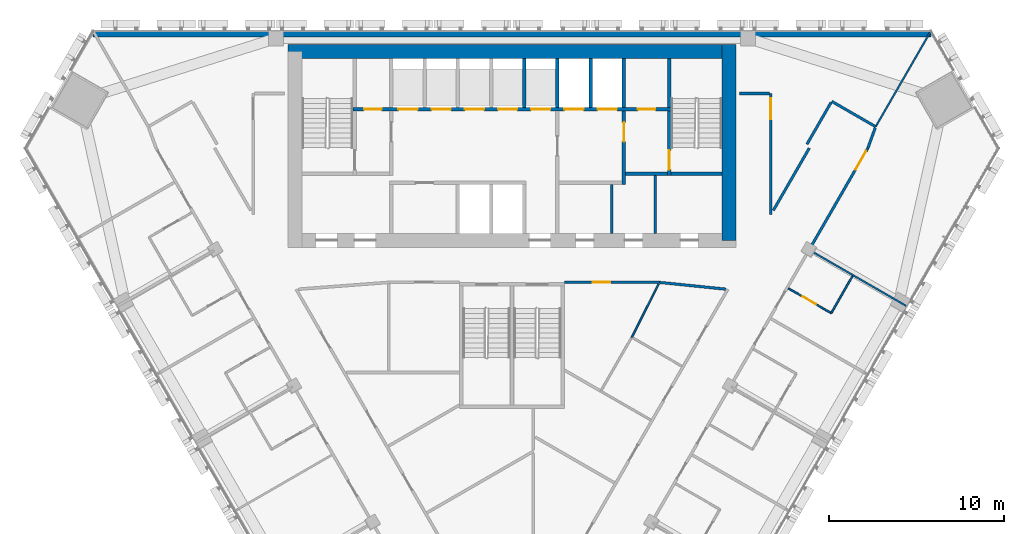
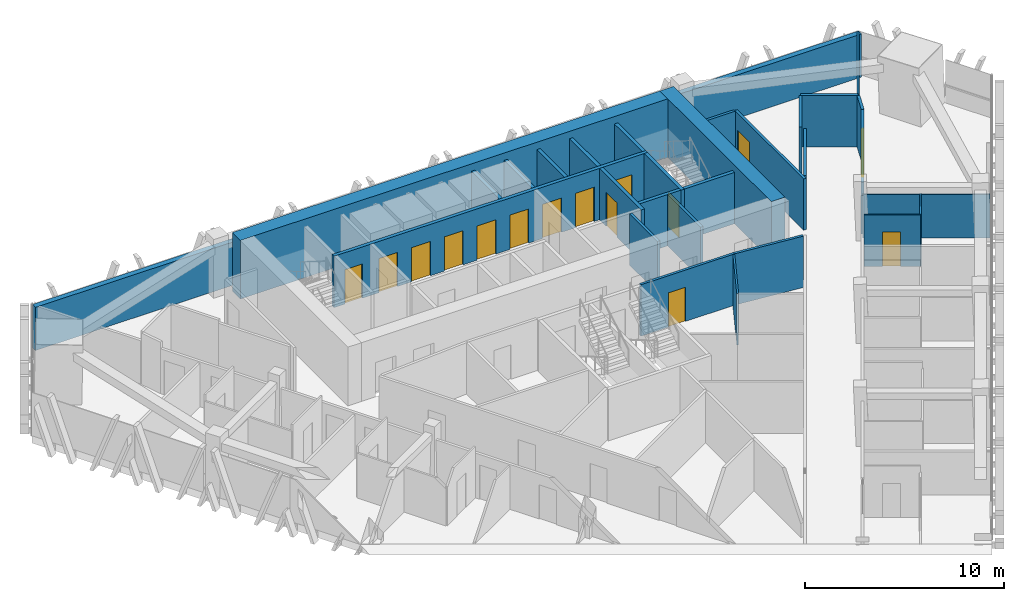
# One storey, part 12 of 16: 29 walls, 15 doors, 15 openings.
"""IFC4 building model written with IfcOpenShell, lengths in metres."""

from ifc_helpers import new_model, si_unit, direction, frame, frame_2d, origin, place, context, subcontext, project, spatial, rectangle, extrude, material, layer, layer_set, type_object, element, fill, save


model = new_model("IFC4")

# Units and contexts
model_context = context("Model", 3, precision=1e-05, world=origin(), true_north=direction((0.0, 1.0)))
body_context = subcontext(model_context, "Body", "Model", "MODEL_VIEW")
ifc_project = project(units=[si_unit("LENGTHUNIT", "METRE"), si_unit("AREAUNIT", "SQUARE_METRE"), si_unit("VOLUMEUNIT", "CUBIC_METRE"), si_unit("PLANEANGLEUNIT", "RADIAN"), si_unit("MASSUNIT", "GRAM", prefix="KILO")], contexts=[model_context])

# Site, building, storey
site_placement = place(None, origin())
site = spatial("IfcSite", under=ifc_project, at=site_placement, CompositionType="ELEMENT")
building_placement = place(site_placement, origin())
building = spatial("IfcBuilding", under=site, at=building_placement, Name="Altiplano Prism Tower", CompositionType="ELEMENT")
storey_placement = place(building_placement, frame((0.0, 0.0, 131.39990234375)))
storey = spatial("IfcBuildingStorey", under=building, at=storey_placement, Name="L33", CompositionType="ELEMENT", Elevation=131.39990234375)

# Walls
ifc_material_1 = material(Name="Concrete C60/75", Category="concrete")
ifc_layer_1 = layer(ifc_material_1, 0.800048828125)
ifc_layer_set_1 = layer_set([ifc_layer_1], Name="Concrete C60/75")
wall_type_1 = type_object("IfcWallType", Name="Core wall 800", PredefinedType="SHEAR", material=ifc_layer_set_1)
wall_1_placement = place(storey_placement, frame((97.39990234375, 93.0, 0.0), z_axis=(0.0, 0.0, 1.0), x_axis=(0.0, 1.0, 0.0)))
element("IfcWall", 1, at=wall_1_placement, inside=storey, type_object=wall_type_1, Name="Core wall E L33", PredefinedType="SHEAR", context=body_context, shape_type="SweptSolid", body=[
    extrude(rectangle(XDim=11.199951171875, YDim=0.800048828125, at=frame_2d((5.60009765625, 0.0))), origin(), (0.0, 0.0, 1.0), 3.60009765625),
])
wall_2_placement = place(storey_placement, frame((97.39990234375, 103.800048828125, 0.0), z_axis=(0.0, 0.0, 1.0), x_axis=(-1.0, 0.0, 0.0)))
element("IfcWall", 2, at=wall_2_placement, inside=storey, type_object=wall_type_1, Name="Core wall N L33", PredefinedType="SHEAR", context=body_context, shape_type="SweptSolid", body=[
    extrude(rectangle(XDim=25.199951171875, YDim=0.800048828125, at=frame_2d((12.60009765625, 0.0))), origin(), (0.0, 0.0, 1.0), 3.60009765625),
])
ifc_material_2 = material(Name="Plasterboard on steel stud", Category="steel")
ifc_layer_2 = layer(ifc_material_2, 0.10009765625)
ifc_layer_set_2 = layer_set([ifc_layer_2], Name="Plasterboard on steel stud")
wall_type_2 = type_object("IfcWallType", Name="Partition 100 unit", PredefinedType="PARTITIONING", material=ifc_layer_set_2)
wall_3_placement = place(storey_placement, frame((104.47412109375, 90.9658203125, 0.0), z_axis=(0.0, 0.0, 1.0), x_axis=(-0.500018594424, -0.866014668023, 0.0)))
element("IfcWall", 3, at=wall_3_placement, inside=storey, type_object=wall_type_2, Name="Partition P02 L33 075", PredefinedType="PARTITIONING", context=body_context, shape_type="SweptSolid", body=[
    extrude(rectangle(XDim=2.4501953125, YDim=0.10009765625, at=frame_2d((1.22509765625, 0.0))), origin(), (0.0, 0.0, 1.0), 2.75),
])

# Wall, opening, door
wall_4_placement = place(storey_placement, frame((103.2490234375, 88.84423828125, 0.0), z_axis=(0.0, 0.0, 1.0), x_axis=(-0.866027263711, 0.4999967785, 0.0)))
wall_4 = element("IfcWall", 4, at=wall_4_placement, inside=storey, type_object=wall_type_2, Name="Partition P02 L33 076", PredefinedType="PARTITIONING", context=body_context, shape_type="SweptSolid", body=[
    extrude(rectangle(XDim=2.82470703125, YDim=0.10009765625, at=frame_2d((1.412353515625, 0.0))), origin(), (0.0, 0.0, 1.0), 3.150146484375),
])
opening_1_placement = place(wall_4_placement, frame((1.0, 0.0, 0.0)))
opening_1 = element("IfcOpeningElement", 5, at=opening_1_placement, cuts=wall_4, Name="Opening D1214", PredefinedType="OPENING", context=body_context, shape_type="SweptSolid", body=[
    extrude(rectangle(XDim=0.89990234375, YDim=2.10009765625, at=frame_2d((0.449951171875, 1.050048828125))), frame((0.0, 0.060546875, 0.0), z_axis=(0.0, -1.0, 0.0), x_axis=(1.0, 0.0, 0.0)), (0.0, 0.0, 1.0), 0.12109375),
])
ifc_material_3 = material(Name="Timber", Category="wood")
door_type_1 = type_object("IfcDoorType", Name="Ensuite door 900 x 2100", OperationType="NOTDEFINED", PredefinedType="NOTDEFINED", material=ifc_material_3)
door_1_placement = place(opening_1_placement, origin())
door_1 = element("IfcDoor", 6, at=door_1_placement, inside=storey, type_object=door_type_1, Name="Door D1214", OperationType="SINGLE_SWING_RIGHT", OverallHeight=2.10009765625, OverallWidth=0.89990234375, PredefinedType="NOTDEFINED", context=body_context, shape_type="SweptSolid", body=[
    extrude(rectangle(XDim=0.89990234375, YDim=2.10009765625, at=frame_2d((0.449951171875, 1.050048828125))), frame((0.0, 0.02490234375, 0.0), z_axis=(0.0, -1.0, 0.0), x_axis=(1.0, 0.0, 0.0)), (0.0, 0.0, 1.0), 0.050048828125),
])
fill(opening_1, door_1)

# Walls
ifc_layer_3 = layer(ifc_material_2, 0.10009765625)
ifc_layer_set_3 = layer_set([ifc_layer_3], Name="Plasterboard on steel stud")
wall_type_3 = type_object("IfcWallType", Name="Partition 100 wet", PredefinedType="PARTITIONING", material=ifc_layer_set_3)
wall_5_placement = place(storey_placement, frame((93.38232421875, 90.50146484375, 0.0), z_axis=(0.0, 0.0, 1.0), x_axis=(-0.450176199903, -0.89293974547, 0.0)))
element("IfcWall", 7, at=wall_5_placement, inside=storey, type_object=wall_type_3, Name="Partition P03 L33 025", PredefinedType="PARTITIONING", context=body_context, shape_type="SweptSolid", body=[
    extrude(rectangle(XDim=3.42529296875, YDim=0.10009765625, at=frame_2d((1.712646484375, 0.0))), origin(), (0.0, 0.0, 1.0), 3.150146484375),
])
wall_6_placement = place(storey_placement, frame((107.5302734375, 89.25927734375, 0.0), z_axis=(0.0, 0.0, 1.0), x_axis=(-0.866025499775, 0.499999833739, 0.0)))
element("IfcWall", 8, at=wall_6_placement, inside=storey, type_object=wall_type_3, Name="Partition P03 L33 077", PredefinedType="PARTITIONING", context=body_context, shape_type="SweptSolid", body=[
    extrude(rectangle(XDim=6.39990234375, YDim=0.10009765625, at=frame_2d((3.199951171875, 0.0))), origin(), (0.0, 0.0, 1.0), 2.650146484375),
])
wall_7_placement = place(storey_placement, frame((108.907958984375, 104.89990234375, 0.0), z_axis=(0.0, 0.0, 1.0), x_axis=(-0.500004896655, -0.866022576681, 0.0)))
element("IfcWall", 9, at=wall_7_placement, inside=storey, type_object=wall_type_3, Name="Partition P03 L33 078", PredefinedType="PARTITIONING", context=body_context, shape_type="SweptSolid", body=[
    extrude(rectangle(XDim=6.2353515625, YDim=0.10009765625, at=frame_2d((3.11767578125, 0.0))), origin(), (0.0, 0.0, 1.0), 2.650146484375),
])
ifc_layer_4 = layer(ifc_material_2, 0.14990234375)
ifc_layer_set_4 = layer_set([ifc_layer_4], Name="Plasterboard on steel stud")
wall_type_4 = type_object("IfcWallType", Name="Partition 150 corridor", PredefinedType="PARTITIONING", material=ifc_layer_set_4)
wall_8_placement = place(storey_placement, frame((93.431396484375, 90.59912109375, 0.0), z_axis=(0.0, 0.0, 1.0), x_axis=(0.994809932393, -0.101750667872, 0.0)))
element("IfcWall", 10, at=wall_8_placement, inside=storey, type_object=wall_type_4, Name="Partition P06 L33 001", PredefinedType="PARTITIONING", context=body_context, shape_type="SweptSolid", body=[
    extrude(rectangle(XDim=3.807861328125, YDim=0.14990234375, at=frame_2d((1.90380859375, 0.0))), origin(), (0.0, 0.0, 1.0), 3.150146484375),
])

# Wall, opening, door
wall_9_placement = place(storey_placement, frame((102.1376953125, 92.718994140625, 0.0), z_axis=(0.0, 0.0, 1.0), x_axis=(0.500012451049, 0.866018215049, 0.0)))
wall_9 = element("IfcWall", 11, at=wall_9_placement, inside=storey, type_object=wall_type_4, Name="Partition P06 L33 008", PredefinedType="PARTITIONING", context=body_context, shape_type="SweptSolid", body=[
    extrude(rectangle(XDim=6.412841796875, YDim=0.14990234375, at=frame_2d((3.20654296875, 0.0))), origin(), (0.0, 0.0, 1.0), 3.150146484375),
])
opening_2_placement = place(wall_9_placement, frame((5.012939453125, 0.0, 0.0)))
opening_2 = element("IfcOpeningElement", 12, at=opening_2_placement, cuts=wall_9, Name="Opening D1215", PredefinedType="OPENING", context=body_context, shape_type="SweptSolid", body=[
    extrude(rectangle(XDim=1.199951171875, YDim=2.10009765625, at=frame_2d((0.60009765625, 1.050048828125))), frame((0.0, 0.08544921875, 0.0), z_axis=(0.0, -1.0, 0.0), x_axis=(1.0, 0.0, 0.0)), (0.0, 0.0, 1.0), 0.1708984375),
])
door_type_2 = type_object("IfcDoorType", Name="Shared room door 1200 x 2100", OperationType="NOTDEFINED", PredefinedType="NOTDEFINED", material=ifc_material_3)
door_2_placement = place(opening_2_placement, origin())
door_2 = element("IfcDoor", 13, at=door_2_placement, inside=storey, type_object=door_type_2, Name="Door D1215", OperationType="SINGLE_SWING_LEFT", OverallHeight=2.10009765625, OverallWidth=1.199951171875, PredefinedType="NOTDEFINED", context=body_context, shape_type="SweptSolid", body=[
    extrude(rectangle(XDim=1.199951171875, YDim=2.10009765625, at=frame_2d((0.60009765625, 1.050048828125))), frame((0.0, 0.02490234375, 0.0), z_axis=(0.0, -1.0, 0.0), x_axis=(1.0, 0.0, 0.0)), (0.0, 0.0, 1.0), 0.050048828125),
])
fill(opening_2, door_2)

# Walls
wall_10_placement = place(storey_placement, frame((105.34423828125, 98.272705078125, 0.0), z_axis=(0.0, 0.0, 1.0), x_axis=(0.341615779191, 0.939839698783, 0.0)))
element("IfcWall", 14, at=wall_10_placement, inside=storey, type_object=wall_type_4, Name="Partition P06 L33 009", PredefinedType="PARTITIONING", context=body_context, shape_type="SweptSolid", body=[
    extrude(rectangle(XDim=1.232177734375, YDim=0.14990234375, at=frame_2d((0.6162109375, 0.0))), origin(), (0.0, 0.0, 1.0), 3.150146484375),
])
wall_11_placement = place(storey_placement, frame((105.790283203125, 99.5, 0.0), z_axis=(0.0, 0.0, 1.0), x_axis=(-0.866032775405, 0.499987231761, 0.0)))
element("IfcWall", 15, at=wall_11_placement, inside=storey, type_object=wall_type_4, Name="Partition P06 L33 010", PredefinedType="PARTITIONING", context=body_context, shape_type="SweptSolid", body=[
    extrude(rectangle(XDim=2.89990234375, YDim=0.14990234375, at=frame_2d((1.449951171875, 0.0))), origin(), (0.0, 0.0, 1.0), 3.150146484375),
])
wall_12_placement = place(storey_placement, frame((103.241455078125, 100.885009765625, 0.0), z_axis=(0.0, 0.0, 1.0), x_axis=(-0.499991038717, -0.866030577522, 0.0)))
element("IfcWall", 16, at=wall_12_placement, inside=storey, type_object=wall_type_4, Name="Partition P06 L33 011", PredefinedType="PARTITIONING", context=body_context, shape_type="SweptSolid", body=[
    extrude(rectangle(XDim=2.75390625, YDim=0.14990234375, at=frame_2d((1.376953125, 0.0))), origin(), (0.0, 0.0, 1.0), 3.150146484375),
])
wall_13_placement = place(storey_placement, frame((101.99560546875, 98.272705078125, 0.0), z_axis=(0.0, 0.0, 1.0), x_axis=(-0.500022314862, -0.866012519909, 0.0)))
element("IfcWall", 17, at=wall_13_placement, inside=storey, type_object=wall_type_4, Name="Partition P06 L33 012", PredefinedType="PARTITIONING", context=body_context, shape_type="SweptSolid", body=[
    extrude(rectangle(XDim=4.111083984375, YDim=0.14990234375, at=frame_2d((2.0556640625, 0.0))), origin(), (0.0, 0.0, 1.0), 3.150146484375),
])

# Wall, opening, door
wall_14_placement = place(storey_placement, frame((99.800048828125, 94.469970703125, 0.0), z_axis=(0.0, 0.0, 1.0), x_axis=(0.0, 1.0, 0.0)))
wall_14 = element("IfcWall", 18, at=wall_14_placement, inside=storey, type_object=wall_type_4, Name="Partition P06 L33 013", PredefinedType="PARTITIONING", context=body_context, shape_type="SweptSolid", body=[
    extrude(rectangle(XDim=6.929931640625, YDim=0.14990234375, at=frame_2d((3.46484375, 0.0))), origin(), (0.0, 0.0, 1.0), 3.150146484375),
])
opening_3_placement = place(wall_14_placement, frame((5.4580078125, 0.0, 0.0)))
opening_3 = element("IfcOpeningElement", 19, at=opening_3_placement, cuts=wall_14, Name="Opening D1216", PredefinedType="OPENING", context=body_context, shape_type="SweptSolid", body=[
    extrude(rectangle(XDim=1.199951171875, YDim=2.10009765625, at=frame_2d((0.60009765625, 1.050048828125))), frame((0.0, 0.08544921875, 0.0), z_axis=(0.0, -1.0, 0.0), x_axis=(1.0, 0.0, 0.0)), (0.0, 0.0, 1.0), 0.1708984375),
])
door_3_placement = place(opening_3_placement, origin())
door_3 = element("IfcDoor", 20, at=door_3_placement, inside=storey, type_object=door_type_2, Name="Door D1216", OperationType="SINGLE_SWING_LEFT", OverallHeight=2.10009765625, OverallWidth=1.199951171875, PredefinedType="NOTDEFINED", context=body_context, shape_type="SweptSolid", body=[
    extrude(rectangle(XDim=1.199951171875, YDim=2.10009765625, at=frame_2d((0.60009765625, 1.050048828125))), frame((0.0, 0.02490234375, 0.0), z_axis=(0.0, -1.0, 0.0), x_axis=(1.0, 0.0, 0.0)), (0.0, 0.0, 1.0), 0.050048828125),
])
fill(opening_3, door_3)

# Wall
wall_15_placement = place(storey_placement, frame((99.72509765625, 101.39990234375, 0.0), z_axis=(0.0, 0.0, 1.0), x_axis=(-1.0, 0.0, 0.0)))
element("IfcWall", 21, at=wall_15_placement, inside=storey, type_object=wall_type_4, Name="Partition P06 L33 014", PredefinedType="PARTITIONING", context=body_context, shape_type="SweptSolid", body=[
    extrude(rectangle(XDim=1.72509765625, YDim=0.14990234375, at=frame_2d((0.862548828125, 0.0))), origin(), (0.0, 0.0, 1.0), 3.150146484375),
])

# Wall, opening, door
wall_16_placement = place(storey_placement, frame((88.0, 90.60009765625, 0.0), z_axis=(0.0, 0.0, 1.0), x_axis=(0.999999983836, -0.000179799521, 0.0)))
wall_16 = element("IfcWall", 22, at=wall_16_placement, inside=storey, type_object=wall_type_4, Name="Partition P06 L33 021", PredefinedType="PARTITIONING", context=body_context, shape_type="SweptSolid", body=[
    extrude(rectangle(XDim=5.431396484375, YDim=0.14990234375, at=frame_2d((2.7158203125, 0.0))), origin(), (0.0, 0.0, 1.0), 3.150146484375),
])
opening_4_placement = place(wall_16_placement, frame((1.60302734375, 0.0, 0.0)))
opening_4 = element("IfcOpeningElement", 23, at=opening_4_placement, cuts=wall_16, Name="Opening D1222", PredefinedType="OPENING", context=body_context, shape_type="SweptSolid", body=[
    extrude(rectangle(XDim=1.0, YDim=2.10009765625, at=frame_2d((0.5, 1.050048828125))), frame((0.0, 0.08544921875, 0.0), z_axis=(0.0, -1.0, 0.0), x_axis=(1.0, 0.0, 0.0)), (0.0, 0.0, 1.0), 0.1708984375),
])
door_type_3 = type_object("IfcDoorType", Name="Room door 1000 x 2100", OperationType="NOTDEFINED", PredefinedType="NOTDEFINED", material=ifc_material_3)
door_4_placement = place(opening_4_placement, origin())
door_4 = element("IfcDoor", 24, at=door_4_placement, inside=storey, type_object=door_type_3, Name="Door D1222", OperationType="SINGLE_SWING_RIGHT", OverallHeight=2.10009765625, OverallWidth=1.0, PredefinedType="NOTDEFINED", context=body_context, shape_type="SweptSolid", body=[
    extrude(rectangle(XDim=1.0, YDim=2.10009765625, at=frame_2d((0.5, 1.050048828125))), frame((0.0, 0.02490234375, 0.0), z_axis=(0.0, -1.0, 0.0), x_axis=(1.0, 0.0, 0.0)), (0.0, 0.0, 1.0), 0.050048828125),
])
fill(opening_4, door_4)

# Walls
ifc_material_4 = material(Name="Fire-rated gypsum board partition")
ifc_layer_5 = layer(ifc_material_4, 0.14990234375)
ifc_layer_set_5 = layer_set([ifc_layer_5], Name="Fire-rated gypsum board partition")
wall_type_5 = type_object("IfcWallType", Name="Room partition 150", PredefinedType="PARTITIONING", material=ifc_layer_set_5)
wall_17_placement = place(storey_placement, frame((90.699951171875, 93.39990234375, 0.0), z_axis=(0.0, 0.0, 1.0), x_axis=(0.0, 1.0, 0.0)))
element("IfcWall", 25, at=wall_17_placement, inside=storey, type_object=wall_type_5, Name="Room partition L33", PredefinedType="PARTITIONING", context=body_context, shape_type="SweptSolid", body=[
    extrude(rectangle(XDim=2.800048828125, YDim=0.14990234375, at=frame_2d((1.39990234375, 0.0))), origin(), (0.0, 0.0, 1.0), 3.150146484375),
])
wall_18_placement = place(storey_placement, frame((93.199951171875, 93.39990234375, 0.0), z_axis=(0.0, 0.0, 1.0), x_axis=(0.0, 1.0, 0.0)))
element("IfcWall", 26, at=wall_18_placement, inside=storey, type_object=wall_type_5, Name="Room partition L33", PredefinedType="PARTITIONING", context=body_context, shape_type="SweptSolid", body=[
    extrude(rectangle(XDim=3.300048828125, YDim=0.14990234375, at=frame_2d((1.64990234375, 0.0))), origin(), (0.0, 0.0, 1.0), 3.150146484375),
])
ifc_layer_6 = layer(ifc_material_1, 0.199951171875)
ifc_layer_set_6 = layer_set([ifc_layer_6], Name="Concrete C60/75")
wall_type_6 = type_object("IfcWallType", Name="Shaft wall 200", PredefinedType="SOLIDWALL", material=ifc_layer_set_6)
for number, where, z_axis, x_axis, name in (
    (27, (85.699951171875, 100.60009765625, 0.0), (0.0, 0.0, 1.0), (0.0, 1.0, 0.0), "Shaft wall L33"),
    (28, (87.60009765625, 100.60009765625, 0.0), (0.0, 0.0, 1.0), (0.0, 1.0, 0.0), "Shaft wall L33"),
    (29, (89.5, 100.60009765625, 0.0), (0.0, 0.0, 1.0), (0.0, 1.0, 0.0), "Shaft wall L33"),
    (30, (91.39990234375, 100.60009765625, 0.0), (0.0, 0.0, 1.0), (0.0, 1.0, 0.0), "Shaft wall L33"),
):
    element("IfcWall", number, at=place(storey_placement, frame(where, z_axis=z_axis, x_axis=x_axis)), inside=storey, type_object=wall_type_6, Name=name, PredefinedType="SOLIDWALL", context=body_context, shape_type="SweptSolid", body=[
        extrude(rectangle(XDim=2.7998046875, YDim=0.199951171875, at=frame_2d((1.39990234375, 0.0))), origin(), (0.0, 0.0, 1.0), 3.150146484375),
    ])

# Wall, opening, door
ifc_layer_7 = layer(ifc_material_1, 0.199951171875)
ifc_layer_set_7 = layer_set([ifc_layer_7], Name="Concrete C60/75")
wall_type_7 = type_object("IfcWallType", Name="Stair wall 200", PredefinedType="SOLIDWALL", material=ifc_layer_set_7)
wall_19_placement = place(storey_placement, frame((94.0, 96.699951171875, 0.0), z_axis=(0.0, 0.0, 1.0), x_axis=(0.0, 1.0, 0.0)))
wall_19 = element("IfcWall", 31, at=wall_19_placement, inside=storey, type_object=wall_type_7, Name="Stair wall L33", PredefinedType="SOLIDWALL", context=body_context, shape_type="SweptSolid", body=[
    extrude(rectangle(XDim=3.699951171875, YDim=0.199951171875, at=frame_2d((1.85009765625, 0.0))), origin(), (0.0, 0.0, 1.0), 3.150146484375),
])
opening_5_placement = place(wall_19_placement, frame((0.35009765625, 0.0, 0.0)))
opening_5 = element("IfcOpeningElement", 32, at=opening_5_placement, cuts=wall_19, Name="Opening D3026", PredefinedType="OPENING", context=body_context, shape_type="SweptSolid", body=[
    extrude(rectangle(XDim=1.10009765625, YDim=2.10009765625, at=frame_2d((0.550048828125, 1.050048828125))), frame((0.0, 0.1103515625, 0.0), z_axis=(0.0, -1.0, 0.0), x_axis=(1.0, 0.0, 0.0)), (0.0, 0.0, 1.0), 0.220947265625),
])
ifc_material_5 = material(Name="Fire-rated steel door", Category="steel")
door_type_4 = type_object("IfcDoorType", Name="Stair fire door 1100 x 2100", OperationType="NOTDEFINED", PredefinedType="NOTDEFINED", material=ifc_material_5)
door_5_placement = place(opening_5_placement, origin())
door_5 = element("IfcDoor", 33, at=door_5_placement, inside=storey, type_object=door_type_4, Name="Stair fire door D3026", OperationType="SINGLE_SWING_LEFT", OverallHeight=2.10009765625, OverallWidth=1.10009765625, PredefinedType="NOTDEFINED", context=body_context, shape_type="SweptSolid", body=[
    extrude(rectangle(XDim=1.10009765625, YDim=2.10009765625, at=frame_2d((0.550048828125, 1.050048828125))), frame((0.0, 0.02490234375, 0.0), z_axis=(0.0, -1.0, 0.0), x_axis=(1.0, 0.0, 0.0)), (0.0, 0.0, 1.0), 0.050048828125),
])
fill(opening_5, door_5)

# Wall
wall_20_placement = place(storey_placement, frame((94.10009765625, 96.800048828125, 0.0), z_axis=(0.0, 0.0, 1.0), x_axis=(1.0, 0.0, 0.0)))
element("IfcWall", 34, at=wall_20_placement, inside=storey, type_object=wall_type_7, Name="Stair wall L33", PredefinedType="SOLIDWALL", context=body_context, shape_type="SweptSolid", body=[
    extrude(rectangle(XDim=2.89990234375, YDim=0.199951171875, at=frame_2d((1.449951171875, 0.0))), origin(), (0.0, 0.0, 1.0), 3.150146484375),
])

# Wall, openings, doors
wall_21_placement = place(storey_placement, frame((75.89990234375, 100.5, 0.0), z_axis=(0.0, 0.0, 1.0), x_axis=(1.0, 0.0, 0.0)))
wall_21 = element("IfcWall", 35, at=wall_21_placement, inside=storey, type_object=wall_type_7, Name="Stair wall L33", PredefinedType="SOLIDWALL", context=body_context, shape_type="SweptSolid", body=[
    extrude(rectangle(XDim=18.2001953125, YDim=0.199951171875, at=frame_2d((9.10009765625, 0.0))), origin(), (0.0, 0.0, 1.0), 3.150146484375),
])
opening_6_placement = place(wall_21_placement, frame((2.60009765625, 0.0, 0.0)))
opening_6 = element("IfcOpeningElement", 36, at=opening_6_placement, cuts=wall_21, Name="Opening LD-ML1-L33", PredefinedType="OPENING", context=body_context, shape_type="SweptSolid", body=[
    extrude(rectangle(XDim=1.10009765625, YDim=2.10009765625, at=frame_2d((0.550048828125, 1.050048828125))), frame((0.0, 0.1103515625, 0.0), z_axis=(0.0, -1.0, 0.0), x_axis=(1.0, 0.0, 0.0)), (0.0, 0.0, 1.0), 0.220947265625),
])
opening_7_placement = place(wall_21_placement, frame((4.5, 0.0, 0.0)))
opening_7 = element("IfcOpeningElement", 37, at=opening_7_placement, cuts=wall_21, Name="Opening LD-ML2-L33", PredefinedType="OPENING", context=body_context, shape_type="SweptSolid", body=[
    extrude(rectangle(XDim=1.10009765625, YDim=2.10009765625, at=frame_2d((0.550048828125, 1.050048828125))), frame((0.0, 0.1103515625, 0.0), z_axis=(0.0, -1.0, 0.0), x_axis=(1.0, 0.0, 0.0)), (0.0, 0.0, 1.0), 0.220947265625),
])
opening_8_placement = place(wall_21_placement, frame((6.39990234375, 0.0, 0.0)))
opening_8 = element("IfcOpeningElement", 38, at=opening_8_placement, cuts=wall_21, Name="Opening LD-ML3-L33", PredefinedType="OPENING", context=body_context, shape_type="SweptSolid", body=[
    extrude(rectangle(XDim=1.10009765625, YDim=2.10009765625, at=frame_2d((0.550048828125, 1.050048828125))), frame((0.0, 0.1103515625, 0.0), z_axis=(0.0, -1.0, 0.0), x_axis=(1.0, 0.0, 0.0)), (0.0, 0.0, 1.0), 0.220947265625),
])
opening_9_placement = place(wall_21_placement, frame((8.300048828125, 0.0, 0.0)))
opening_9 = element("IfcOpeningElement", 39, at=opening_9_placement, cuts=wall_21, Name="Opening LD-ML4-L33", PredefinedType="OPENING", context=body_context, shape_type="SweptSolid", body=[
    extrude(rectangle(XDim=1.10009765625, YDim=2.10009765625, at=frame_2d((0.550048828125, 1.050048828125))), frame((0.0, 0.1103515625, 0.0), z_axis=(0.0, -1.0, 0.0), x_axis=(1.0, 0.0, 0.0)), (0.0, 0.0, 1.0), 0.220947265625),
])
opening_10_placement = place(wall_21_placement, frame((10.199951171875, 0.0, 0.0)))
opening_10 = element("IfcOpeningElement", 40, at=opening_10_placement, cuts=wall_21, Name="Opening LD-ML5-L33", PredefinedType="OPENING", context=body_context, shape_type="SweptSolid", body=[
    extrude(rectangle(XDim=1.10009765625, YDim=2.10009765625, at=frame_2d((0.550048828125, 1.050048828125))), frame((0.0, 0.1103515625, 0.0), z_axis=(0.0, -1.0, 0.0), x_axis=(1.0, 0.0, 0.0)), (0.0, 0.0, 1.0), 0.220947265625),
])
opening_11_placement = place(wall_21_placement, frame((12.10009765625, 0.0, 0.0)))
opening_11 = element("IfcOpeningElement", 41, at=opening_11_placement, cuts=wall_21, Name="Opening LD-FF1-L33", PredefinedType="OPENING", context=body_context, shape_type="SweptSolid", body=[
    extrude(rectangle(XDim=1.10009765625, YDim=2.10009765625, at=frame_2d((0.550048828125, 1.050048828125))), frame((0.0, 0.1103515625, 0.0), z_axis=(0.0, -1.0, 0.0), x_axis=(1.0, 0.0, 0.0)), (0.0, 0.0, 1.0), 0.220947265625),
])
opening_12_placement = place(wall_21_placement, frame((14.0, 0.0, 0.0)))
opening_12 = element("IfcOpeningElement", 42, at=opening_12_placement, cuts=wall_21, Name="Opening LD-FF2-L33", PredefinedType="OPENING", context=body_context, shape_type="SweptSolid", body=[
    extrude(rectangle(XDim=1.10009765625, YDim=2.10009765625, at=frame_2d((0.550048828125, 1.050048828125))), frame((0.0, 0.1103515625, 0.0), z_axis=(0.0, -1.0, 0.0), x_axis=(1.0, 0.0, 0.0)), (0.0, 0.0, 1.0), 0.220947265625),
])
opening_13_placement = place(wall_21_placement, frame((0.64990234375, 0.0, 0.0)))
opening_13 = element("IfcOpeningElement", 43, at=opening_13_placement, cuts=wall_21, Name="Opening D3033", PredefinedType="OPENING", context=body_context, shape_type="SweptSolid", body=[
    extrude(rectangle(XDim=1.0, YDim=2.10009765625, at=frame_2d((0.5, 1.050048828125))), frame((0.0, 0.1103515625, 0.0), z_axis=(0.0, -1.0, 0.0), x_axis=(1.0, 0.0, 0.0)), (0.0, 0.0, 1.0), 0.220947265625),
])
opening_14_placement = place(wall_21_placement, frame((16.300048828125, 0.0, 0.0)))
opening_14 = element("IfcOpeningElement", 44, at=opening_14_placement, cuts=wall_21, Name="Opening D3034", PredefinedType="OPENING", context=body_context, shape_type="SweptSolid", body=[
    extrude(rectangle(XDim=1.0, YDim=2.10009765625, at=frame_2d((0.5, 1.050048828125))), frame((0.0, 0.1103515625, 0.0), z_axis=(0.0, -1.0, 0.0), x_axis=(1.0, 0.0, 0.0)), (0.0, 0.0, 1.0), 0.220947265625),
])
door_type_5 = type_object("IfcDoorType", Name="Core room door 1000 x 2100", OperationType="NOTDEFINED", PredefinedType="NOTDEFINED", material=ifc_material_5)
door_6_placement = place(opening_13_placement, origin())
door_6 = element("IfcDoor", 45, at=door_6_placement, inside=storey, type_object=door_type_5, Name="Core room door D3033", OperationType="SINGLE_SWING_LEFT", OverallHeight=2.10009765625, OverallWidth=1.0, PredefinedType="NOTDEFINED", context=body_context, shape_type="SweptSolid", body=[
    extrude(rectangle(XDim=1.0, YDim=2.10009765625, at=frame_2d((0.5, 1.050048828125))), frame((0.0, 0.02490234375, 0.0), z_axis=(0.0, -1.0, 0.0), x_axis=(1.0, 0.0, 0.0)), (0.0, 0.0, 1.0), 0.050048828125),
])
fill(opening_13, door_6)
door_7_placement = place(opening_14_placement, origin())
door_7 = element("IfcDoor", 46, at=door_7_placement, inside=storey, type_object=door_type_5, Name="Core room door D3034", OperationType="SINGLE_SWING_RIGHT", OverallHeight=2.10009765625, OverallWidth=1.0, PredefinedType="NOTDEFINED", context=body_context, shape_type="SweptSolid", body=[
    extrude(rectangle(XDim=1.0, YDim=2.10009765625, at=frame_2d((0.5, 1.050048828125))), frame((0.0, 0.02490234375, 0.0), z_axis=(0.0, -1.0, 0.0), x_axis=(1.0, 0.0, 0.0)), (0.0, 0.0, 1.0), 0.050048828125),
])
fill(opening_14, door_7)
ifc_material_6 = material(Name="Stainless steel landing door", Category="steel")
door_type_6 = type_object("IfcDoorType", Name="Landing door 1100 x 2100", OperationType="NOTDEFINED", PredefinedType="NOTDEFINED", material=ifc_material_6)
door_8_placement = place(opening_6_placement, origin())
door_8 = element("IfcDoor", 47, at=door_8_placement, inside=storey, type_object=door_type_6, Name="Landing doors ML1", OperationType="SLIDING_TO_RIGHT", OverallHeight=2.10009765625, OverallWidth=1.10009765625, PredefinedType="NOTDEFINED", context=body_context, shape_type="SweptSolid", body=[
    extrude(rectangle(XDim=1.10009765625, YDim=2.10009765625, at=frame_2d((0.550048828125, 1.050048828125))), frame((0.0, 0.02490234375, 0.0), z_axis=(0.0, -1.0, 0.0), x_axis=(1.0, 0.0, 0.0)), (0.0, 0.0, 1.0), 0.050048828125),
])
fill(opening_6, door_8)
door_9_placement = place(opening_7_placement, origin())
door_9 = element("IfcDoor", 48, at=door_9_placement, inside=storey, type_object=door_type_6, Name="Landing doors ML2", OperationType="SLIDING_TO_LEFT", OverallHeight=2.10009765625, OverallWidth=1.10009765625, PredefinedType="NOTDEFINED", context=body_context, shape_type="SweptSolid", body=[
    extrude(rectangle(XDim=1.10009765625, YDim=2.10009765625, at=frame_2d((0.550048828125, 1.050048828125))), frame((0.0, 0.02490234375, 0.0), z_axis=(0.0, -1.0, 0.0), x_axis=(1.0, 0.0, 0.0)), (0.0, 0.0, 1.0), 0.050048828125),
])
fill(opening_7, door_9)
door_10_placement = place(opening_8_placement, origin())
door_10 = element("IfcDoor", 49, at=door_10_placement, inside=storey, type_object=door_type_6, Name="Landing doors ML3", OperationType="SLIDING_TO_RIGHT", OverallHeight=2.10009765625, OverallWidth=1.10009765625, PredefinedType="NOTDEFINED", context=body_context, shape_type="SweptSolid", body=[
    extrude(rectangle(XDim=1.10009765625, YDim=2.10009765625, at=frame_2d((0.550048828125, 1.050048828125))), frame((0.0, 0.02490234375, 0.0), z_axis=(0.0, -1.0, 0.0), x_axis=(1.0, 0.0, 0.0)), (0.0, 0.0, 1.0), 0.050048828125),
])
fill(opening_8, door_10)
door_11_placement = place(opening_9_placement, origin())
door_11 = element("IfcDoor", 50, at=door_11_placement, inside=storey, type_object=door_type_6, Name="Landing doors ML4", OperationType="SLIDING_TO_LEFT", OverallHeight=2.10009765625, OverallWidth=1.10009765625, PredefinedType="NOTDEFINED", context=body_context, shape_type="SweptSolid", body=[
    extrude(rectangle(XDim=1.10009765625, YDim=2.10009765625, at=frame_2d((0.550048828125, 1.050048828125))), frame((0.0, 0.02490234375, 0.0), z_axis=(0.0, -1.0, 0.0), x_axis=(1.0, 0.0, 0.0)), (0.0, 0.0, 1.0), 0.050048828125),
])
fill(opening_9, door_11)
door_12_placement = place(opening_10_placement, origin())
door_12 = element("IfcDoor", 51, at=door_12_placement, inside=storey, type_object=door_type_6, Name="Landing doors ML5", OperationType="SLIDING_TO_RIGHT", OverallHeight=2.10009765625, OverallWidth=1.10009765625, PredefinedType="NOTDEFINED", context=body_context, shape_type="SweptSolid", body=[
    extrude(rectangle(XDim=1.10009765625, YDim=2.10009765625, at=frame_2d((0.550048828125, 1.050048828125))), frame((0.0, 0.02490234375, 0.0), z_axis=(0.0, -1.0, 0.0), x_axis=(1.0, 0.0, 0.0)), (0.0, 0.0, 1.0), 0.050048828125),
])
fill(opening_10, door_12)
door_13_placement = place(opening_11_placement, origin())
door_13 = element("IfcDoor", 52, at=door_13_placement, inside=storey, type_object=door_type_6, Name="Landing doors FF1", OperationType="SLIDING_TO_RIGHT", OverallHeight=2.10009765625, OverallWidth=1.10009765625, PredefinedType="NOTDEFINED", context=body_context, shape_type="SweptSolid", body=[
    extrude(rectangle(XDim=1.10009765625, YDim=2.10009765625, at=frame_2d((0.550048828125, 1.050048828125))), frame((0.0, 0.02490234375, 0.0), z_axis=(0.0, -1.0, 0.0), x_axis=(1.0, 0.0, 0.0)), (0.0, 0.0, 1.0), 0.050048828125),
])
fill(opening_11, door_13)
door_14_placement = place(opening_12_placement, origin())
door_14 = element("IfcDoor", 53, at=door_14_placement, inside=storey, type_object=door_type_6, Name="Landing doors FF2", OperationType="SLIDING_TO_LEFT", OverallHeight=2.10009765625, OverallWidth=1.10009765625, PredefinedType="NOTDEFINED", context=body_context, shape_type="SweptSolid", body=[
    extrude(rectangle(XDim=1.10009765625, YDim=2.10009765625, at=frame_2d((0.550048828125, 1.050048828125))), frame((0.0, 0.02490234375, 0.0), z_axis=(0.0, -1.0, 0.0), x_axis=(1.0, 0.0, 0.0)), (0.0, 0.0, 1.0), 0.050048828125),
])
fill(opening_12, door_14)

# Walls
wall_22_placement = place(storey_placement, frame((94.0, 100.60009765625, 0.0), z_axis=(0.0, 0.0, 1.0), x_axis=(0.0, 1.0, 0.0)))
element("IfcWall", 54, at=wall_22_placement, inside=storey, type_object=wall_type_7, Name="Stair wall L33", PredefinedType="SOLIDWALL", context=body_context, shape_type="SweptSolid", body=[
    extrude(rectangle(XDim=2.7998046875, YDim=0.199951171875, at=frame_2d((1.39990234375, 0.0))), origin(), (0.0, 0.0, 1.0), 3.150146484375),
])
ifc_material_7 = material(Name="Concrete C40", Category="concrete")
ifc_layer_8 = layer(ifc_material_7, 0.300048828125)
ifc_layer_set_8 = layer_set([ifc_layer_8], Name="Concrete C40")
wall_type_8 = type_object("IfcWallType", Name="Stone-clad external wall 300", PredefinedType="SOLIDWALL", material=ifc_layer_set_8)
wall_23_placement = place(storey_placement, frame((61.0341796875, 104.7900390625, 0.0), z_axis=(0.0, 0.0, 1.0), x_axis=(1.0, 0.0, 0.0)))
element("IfcWall", 55, at=wall_23_placement, inside=storey, type_object=wall_type_8, Name="External wall north face L33", PredefinedType="SOLIDWALL", context=body_context, shape_type="SweptSolid", body=[
    extrude(rectangle(XDim=47.931640625, YDim=0.300048828125, at=frame_2d((23.9658203125, 0.0))), origin(), (0.0, 0.0, 1.0), 2.650146484375),
])

# Wall, opening, door
ifc_layer_9 = layer(ifc_material_1, 0.199951171875)
ifc_layer_set_9 = layer_set([ifc_layer_9], Name="Concrete C60/75")
wall_type_9 = type_object("IfcWallType", Name="Vestibule wall 200", PredefinedType="PARTITIONING", material=ifc_layer_set_9)
wall_24_placement = place(storey_placement, frame((91.39990234375, 96.199951171875, 0.0), z_axis=(0.0, 0.0, 1.0), x_axis=(0.0, 1.0, 0.0)))
wall_24 = element("IfcWall", 56, at=wall_24_placement, inside=storey, type_object=wall_type_9, Name="Vestibule wall L33", PredefinedType="PARTITIONING", context=body_context, shape_type="SweptSolid", body=[
    extrude(rectangle(XDim=4.199951171875, YDim=0.199951171875, at=frame_2d((2.10009765625, 0.0))), origin(), (0.0, 0.0, 1.0), 3.150146484375),
])
opening_15_placement = place(wall_24_placement, frame((2.449951171875, 0.0, 0.0)))
opening_15 = element("IfcOpeningElement", 57, at=opening_15_placement, cuts=wall_24, Name="Opening D3029", PredefinedType="OPENING", context=body_context, shape_type="SweptSolid", body=[
    extrude(rectangle(XDim=1.10009765625, YDim=2.10009765625, at=frame_2d((0.550048828125, 1.050048828125))), frame((0.0, 0.1103515625, 0.0), z_axis=(0.0, -1.0, 0.0), x_axis=(1.0, 0.0, 0.0)), (0.0, 0.0, 1.0), 0.220947265625),
])
door_type_7 = type_object("IfcDoorType", Name="Vestibule fire door 1100 x 2100", OperationType="NOTDEFINED", PredefinedType="NOTDEFINED", material=ifc_material_5)
door_15_placement = place(opening_15_placement, origin())
door_15 = element("IfcDoor", 58, at=door_15_placement, inside=storey, type_object=door_type_7, Name="Vestibule fire door D3029", OperationType="SINGLE_SWING_LEFT", OverallHeight=2.10009765625, OverallWidth=1.10009765625, PredefinedType="NOTDEFINED", context=body_context, shape_type="SweptSolid", body=[
    extrude(rectangle(XDim=1.10009765625, YDim=2.10009765625, at=frame_2d((0.550048828125, 1.050048828125))), frame((0.0, 0.02490234375, 0.0), z_axis=(0.0, -1.0, 0.0), x_axis=(1.0, 0.0, 0.0)), (0.0, 0.0, 1.0), 0.050048828125),
])
fill(opening_15, door_15)

# Wall
wall_25_placement = place(storey_placement, frame((91.5, 96.800048828125, 0.0), z_axis=(0.0, 0.0, 1.0), x_axis=(1.0, 0.0, 0.0)))
element("IfcWall", 59, at=wall_25_placement, inside=storey, type_object=wall_type_9, Name="Vestibule wall L33", PredefinedType="PARTITIONING", context=body_context, shape_type="SweptSolid", body=[
    extrude(rectangle(XDim=2.39990234375, YDim=0.199951171875, at=frame_2d((1.199951171875, 0.0))), origin(), (0.0, 0.0, 1.0), 3.150146484375),
])

save(model, "model.ifc")
